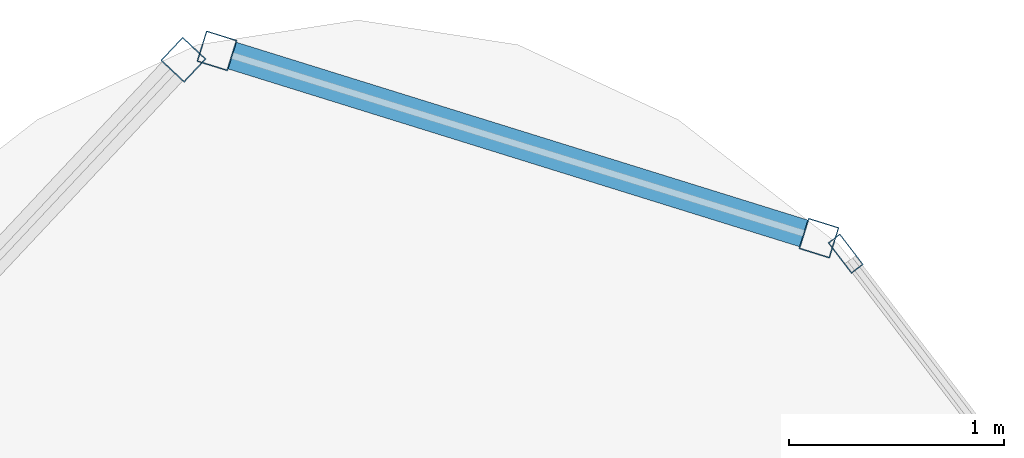
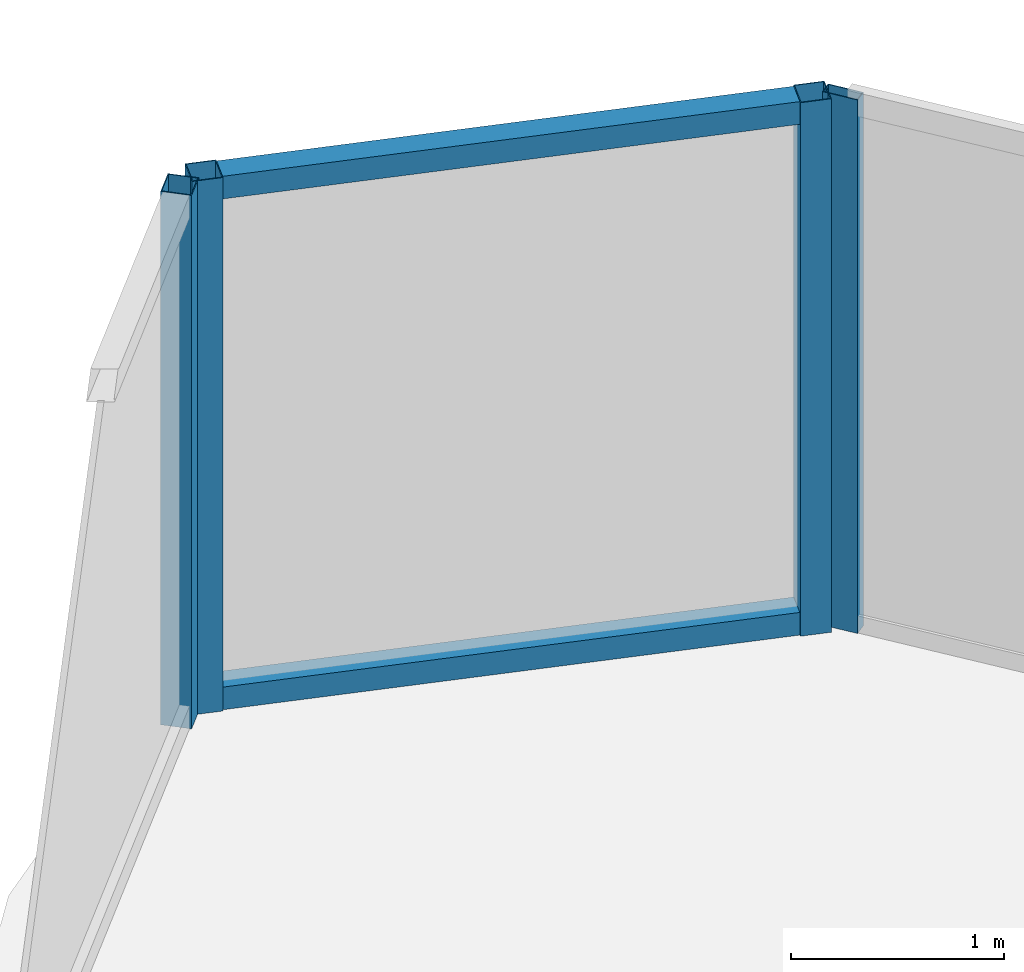
# One storey, part 24 of 33: 6 members, 3 elements without a shape of their own.
"""IFC4 building model written with IfcOpenShell, lengths in metres."""

from ifc_helpers import new_model, si_unit, direction, frame, origin, origin_2d, place, context, subcontext, project, spatial, hollow_rectangle, extrude, material, layer, layer_set, material_profile, profile_set, type_object, element, aggregate, save


model = new_model("IFC4")

# Units and contexts
model_context = context("Model", 3, precision=1e-05, world=origin(), true_north=direction((0.0, 1.0)))
body_context = subcontext(model_context, "Body", "Model", "MODEL_VIEW")
ifc_project = project(units=[si_unit("LENGTHUNIT", "METRE"), si_unit("AREAUNIT", "SQUARE_METRE"), si_unit("VOLUMEUNIT", "CUBIC_METRE"), si_unit("PLANEANGLEUNIT", "RADIAN"), si_unit("MASSUNIT", "GRAM", prefix="KILO")], contexts=[model_context])

# Site, building, storey
site_placement = place(None, origin())
site = spatial("IfcSite", under=ifc_project, at=site_placement, CompositionType="ELEMENT")
building_placement = place(site_placement, origin())
building = spatial("IfcBuilding", under=site, at=building_placement, Name="Orvanel Arch Residences", CompositionType="ELEMENT")
storey_placement = place(building_placement, frame((0.0, 0.0, 84.050048828125)))
storey = spatial("IfcBuildingStorey", under=building, at=storey_placement, Name="L23", CompositionType="ELEMENT", Elevation=84.050048828125)

# Curtain wall, members
ifc_material = material(Name="Bronze-anodised aluminium AA6063-T6", Category="aluminium")
ifc_layer_1 = layer(ifc_material, 0.18994140625)
ifc_layer_set_1 = layer_set([ifc_layer_1], Name="Bronze-anodised aluminium AA6063-T6")
curtain_wall_type_1 = type_object("IfcCurtainWallType", Name="CW5-CRN-SYS", PredefinedType="NOTDEFINED", material=ifc_layer_set_1)
curtain_wall_1_placement = place(storey_placement, origin())
curtain_wall_1 = element("IfcCurtainWall", 1, at=curtain_wall_1_placement, inside=storey, type_object=curtain_wall_type_1, Name="L23 CW5-CRN-SYS Unitised Curtain Wall", PredefinedType="NOTDEFINED")
ifc_material_profile_1 = material_profile(ifc_material, hollow_rectangle(XDim=0.14990234375, YDim=0.14990234375, WallThickness=0.0048828125, at=origin_2d()), Name="ALU150x150x5")
ifc_profile_set_1 = profile_set([ifc_material_profile_1], Name="Bronze-anodised aluminium AA6063-T6")
member_type_1 = type_object("IfcMemberType", Name="MUL-150x150", PredefinedType="MULLION", material=ifc_profile_set_1)
member_1_placement = place(storey_placement, frame((35.143310546875, 49.75927734375, 0.0), z_axis=(0.0, 0.0, 1.0), x_axis=(-0.297073130813, -0.954854729762, 0.0)))
member_1 = element("IfcMember", 2, at=member_1_placement, type_object=member_type_1, Name="CW-S5 mullion 1", PredefinedType="MULLION", context=body_context, shape_type="SweptSolid", body=[
    extrude(hollow_rectangle(XDim=0.14990234375, YDim=0.14990234375, WallThickness=0.0048828125, at=origin_2d()), origin(), (0.0, 0.0, 1.0), 3.06005859375),
])
member_2_placement = place(storey_placement, frame((32.345703125, 50.629638671875, 0.0), z_axis=(0.0, 0.0, 1.0), x_axis=(-0.297073130813, -0.954854729762, 0.0)))
member_2 = element("IfcMember", 3, at=member_2_placement, type_object=member_type_1, Name="CW-S5 mullion 2", PredefinedType="MULLION", context=body_context, shape_type="SweptSolid", body=[
    extrude(hollow_rectangle(XDim=0.14990234375, YDim=0.14990234375, WallThickness=0.0048828125, at=origin_2d()), origin(), (0.0, 0.0, 1.0), 3.06005859375),
])

# Curtain wall, member
curtain_wall_2_placement = place(storey_placement, origin())
curtain_wall_2 = element("IfcCurtainWall", 4, at=curtain_wall_2_placement, inside=storey, type_object=curtain_wall_type_1, Name="L23 CW5-CRN-SYS Unitised Curtain Wall", PredefinedType="NOTDEFINED")
member_3_placement = place(storey_placement, frame((32.189697265625, 50.58837890625, 0.0), z_axis=(0.0, 0.0, 1.0), x_axis=(0.729577329682, -0.683898325787, 0.0)))
member_3 = element("IfcMember", 5, at=member_3_placement, type_object=member_type_1, Name="CW-S5 mullion 1", PredefinedType="MULLION", context=body_context, shape_type="SweptSolid", body=[
    extrude(hollow_rectangle(XDim=0.14990234375, YDim=0.14990234375, WallThickness=0.0048828125, at=origin_2d()), origin(), (0.0, 0.0, 1.0), 3.06005859375),
])
aggregate(curtain_wall_2, [member_3])

ifc_layer_2 = layer(ifc_material, 0.179931640625)
ifc_layer_set_2 = layer_set([ifc_layer_2], Name="Bronze-anodised aluminium AA6063-T6")
curtain_wall_type_2 = type_object("IfcCurtainWallType", Name="CW2-LOW-SYS", PredefinedType="NOTDEFINED", material=ifc_layer_set_2)
curtain_wall_3_placement = place(storey_placement, origin())
curtain_wall_3 = element("IfcCurtainWall", 6, at=curtain_wall_3_placement, inside=storey, type_object=curtain_wall_type_2, Name="L23 CW2-LOW-SYS Unitised Curtain Wall", PredefinedType="NOTDEFINED")
ifc_material_profile_2 = material_profile(ifc_material, hollow_rectangle(XDim=0.070068359375, YDim=0.179931640625, WallThickness=0.00439453125, at=origin_2d()), Name="ALU180x70x4.5")
ifc_profile_set_2 = profile_set([ifc_material_profile_2], Name="Bronze-anodised aluminium AA6063-T6")
member_type_2 = type_object("IfcMemberType", Name="MUL-180x70", PredefinedType="MULLION", material=ifc_profile_set_2)
member_4_placement = place(storey_placement, frame((35.267333984375, 49.687255859375, 0.0), z_axis=(0.0, 0.0, 1.0), x_axis=(-0.794618292381, -0.607109355399, 0.0)))
member_4 = element("IfcMember", 7, at=member_4_placement, type_object=member_type_2, Name="CW-S2 mullion 4", PredefinedType="MULLION", context=body_context, shape_type="SweptSolid", body=[
    extrude(hollow_rectangle(XDim=0.070068359375, YDim=0.179931640625, WallThickness=0.00439453125, at=origin_2d()), origin(), (0.0, 0.0, 1.0), 3.06005859375),
])
aggregate(curtain_wall_3, [member_4])

# Member
ifc_material_profile_3 = material_profile(ifc_material, hollow_rectangle(XDim=0.1298828125, YDim=0.1298828125, WallThickness=0.00439453125, at=origin_2d()), Name="ALU130x130x4.5")
ifc_profile_set_3 = profile_set([ifc_material_profile_3], Name="Bronze-anodised aluminium AA6063-T6")
member_type_3 = type_object("IfcMemberType", Name="TRN-130x130", PredefinedType="USERDEFINED", material=ifc_profile_set_3)
member_5_placement = place(storey_placement, frame((35.07177734375, 49.781494140625, 0.06494140625), z_axis=(-0.954849579765, 0.297089683468, 0.0), x_axis=(-0.297089683468, -0.954849579765, 0.0)))
member_5 = element("IfcMember", 8, at=member_5_placement, type_object=member_type_3, Name="CW-S5 transom 1.1", ObjectType="TRANSOM", PredefinedType="USERDEFINED", context=body_context, shape_type="SweptSolid", body=[
    extrude(hollow_rectangle(XDim=0.1298828125, YDim=0.1298828125, WallThickness=0.00439453125, at=origin_2d()), origin(), (0.0, 0.0, 1.0), 2.780029296875),
])

member_6_placement = place(storey_placement, frame((35.07177734375, 49.781494140625, 2.994873046875), z_axis=(-0.954849579765, 0.297089683468, 0.0), x_axis=(-0.297089683468, -0.954849579765, 0.0)))
member_6 = element("IfcMember", 9, at=member_6_placement, type_object=member_type_3, Name="CW-S5 transom 1.2", ObjectType="TRANSOM", PredefinedType="USERDEFINED", context=body_context, shape_type="SweptSolid", body=[
    extrude(hollow_rectangle(XDim=0.1298828125, YDim=0.1298828125, WallThickness=0.00439453125, at=origin_2d()), origin(), (0.0, 0.0, 1.0), 2.780029296875),
])

aggregate(curtain_wall_1, [member_1, member_2, member_5, member_6])

save(model, "model.ifc")
